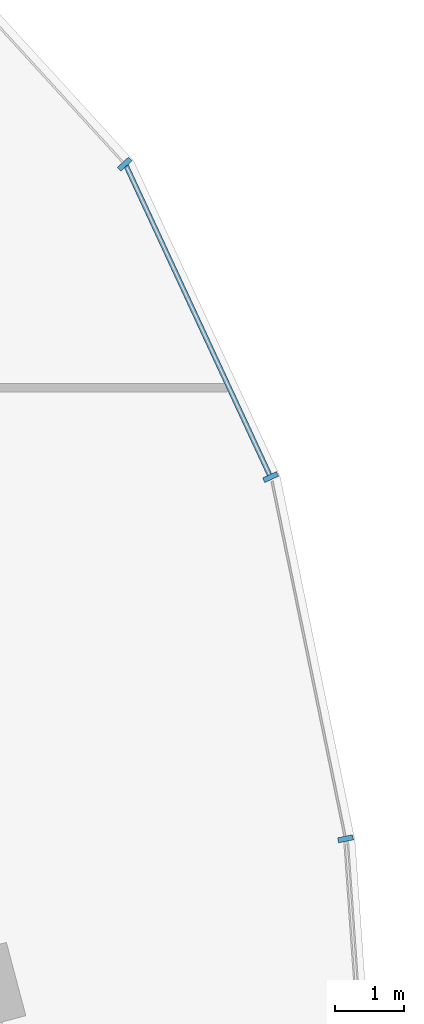
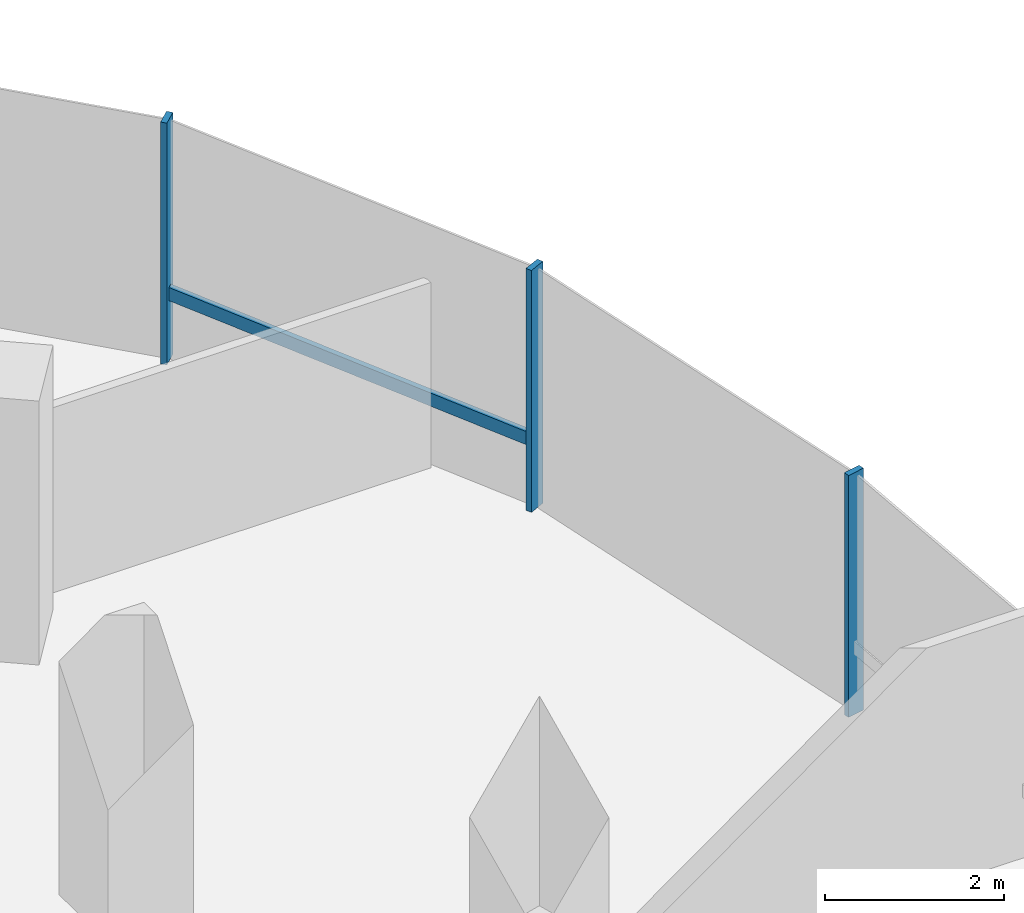
# One storey, part 8 of 21: 4 members, 1 element without a shape of its own.
"""IFC4 building model written with IfcOpenShell, lengths in metres."""

from ifc_helpers import new_model, si_unit, direction, frame, origin, origin_2d, place, context, subcontext, project, spatial, rectangle, extrude, material, material_profile, profile_set, type_object, element, aggregate, save


model = new_model("IFC4")

# Units and contexts
model_context = context("Model", 3, precision=1e-05, world=origin(), true_north=direction((0.0, 1.0)))
body_context = subcontext(model_context, "Body", "Model", "MODEL_VIEW")
ifc_project = project(units=[si_unit("LENGTHUNIT", "METRE"), si_unit("AREAUNIT", "SQUARE_METRE"), si_unit("VOLUMEUNIT", "CUBIC_METRE"), si_unit("PLANEANGLEUNIT", "RADIAN"), si_unit("MASSUNIT", "GRAM", prefix="KILO"), si_unit("THERMODYNAMICTEMPERATUREUNIT", "KELVIN"), si_unit("POWERUNIT", "WATT")], contexts=[model_context])

# Site, building, storey
site_placement = place(None, origin())
site = spatial("IfcSite", under=ifc_project, at=site_placement, CompositionType="ELEMENT")
building_placement = place(site_placement, origin())
building = spatial("IfcBuilding", under=site, at=building_placement, Name="Cundina Bronze Exchange", CompositionType="ELEMENT")
storey_placement = place(building_placement, frame((0.0, 0.0, 114.199951171875)))
storey = spatial("IfcBuildingStorey", under=building, at=storey_placement, Name="L29", CompositionType="ELEMENT", Elevation=114.199951171875)

# Curtain wall, members
ifc_material = material(Name="Anodised Bronze Aluminium 6063-T6", Category="aluminium")
curtain_wall_type = type_object("IfcCurtainWallType", Name="CWS-TRD-MID", PredefinedType="NOTDEFINED", material=ifc_material)
curtain_wall_placement = place(storey_placement, origin())
curtain_wall = element("IfcCurtainWall", 1, at=curtain_wall_placement, inside=storey, type_object=curtain_wall_type, Name="L29 CW-03 Curtain Wall Run CWR-L29-E1", PredefinedType="NOTDEFINED")
ifc_material_profile_1 = material_profile(ifc_material, rectangle(XDim=0.074951171875, YDim=0.219970703125, at=origin_2d()), Name="AL75X220", Category="aluminium")
ifc_profile_set_1 = profile_set([ifc_material_profile_1], Name="Anodised Bronze Aluminium 6063-T6")
member_type_1 = type_object("IfcMemberType", Name="CWM-MUL-220", PredefinedType="MULLION", material=ifc_profile_set_1)
member_1_placement = place(storey_placement, frame((50.717041015625, 8.67822265625, 0.0), z_axis=(0.0, 0.0, 1.0), x_axis=(-0.201419845156, 0.979505000486, 0.0)))
member_1 = element("IfcMember", 2, at=member_1_placement, type_object=member_type_1, Name="CW-03 Mullion 2", PredefinedType="MULLION", context=body_context, shape_type="SweptSolid", body=[
    extrude(rectangle(XDim=0.074951171875, YDim=0.219970703125, at=origin_2d()), origin(), (0.0, 0.0, 1.0), 3.300048828125),
])
member_2_placement = place(storey_placement, frame((49.6279296875, 13.931884765625, 0.0), z_axis=(0.0, 0.0, 1.0), x_axis=(-0.42087749791, 0.907117485088, 0.0)))
member_2 = element("IfcMember", 3, at=member_2_placement, type_object=member_type_1, Name="CW-03 Mullion 3", PredefinedType="MULLION", context=body_context, shape_type="SweptSolid", body=[
    extrude(rectangle(XDim=0.074951171875, YDim=0.219970703125, at=origin_2d()), origin(), (0.0, 0.0, 1.0), 3.300048828125),
])
member_3_placement = place(storey_placement, frame((47.508544921875, 18.47705078125, 0.0), z_axis=(0.0, 0.0, 1.0), x_axis=(-0.674302387584, 0.738455340626, 0.0)))
member_3 = element("IfcMember", 4, at=member_3_placement, type_object=member_type_1, Name="CW-03 Mullion 4", PredefinedType="MULLION", context=body_context, shape_type="SweptSolid", body=[
    extrude(rectangle(XDim=0.074951171875, YDim=0.219970703125, at=origin_2d()), origin(), (0.0, 0.0, 1.0), 3.300048828125),
])
ifc_material_profile_2 = material_profile(ifc_material, rectangle(XDim=0.070068359375, YDim=0.179931640625, at=origin_2d()), Name="AL70X180", Category="aluminium")
ifc_profile_set_2 = profile_set([ifc_material_profile_2], Name="Anodised Bronze Aluminium 6063-T6")
member_type_2 = type_object("IfcMemberType", Name="CWM-TRN-180", PredefinedType="USERDEFINED", material=ifc_profile_set_2)
member_4_placement = place(storey_placement, frame((49.610595703125, 13.96923828125, 0.920166015625), z_axis=(-0.420811422796, 0.907148139195, 0.0), x_axis=(-0.907148139195, -0.420811422796, 0.0)))
member_4 = element("IfcMember", 5, at=member_4_placement, type_object=member_type_2, Name="CW-03 Spandrel Transom 3", ObjectType="TRANSOM", PredefinedType="USERDEFINED", context=body_context, shape_type="SweptSolid", body=[
    extrude(rectangle(XDim=0.070068359375, YDim=0.179931640625, at=origin_2d()), origin(), (0.0, 0.0, 1.0), 4.95166015625),
])
aggregate(curtain_wall, [member_1, member_2, member_4, member_3])

save(model, "model.ifc")
